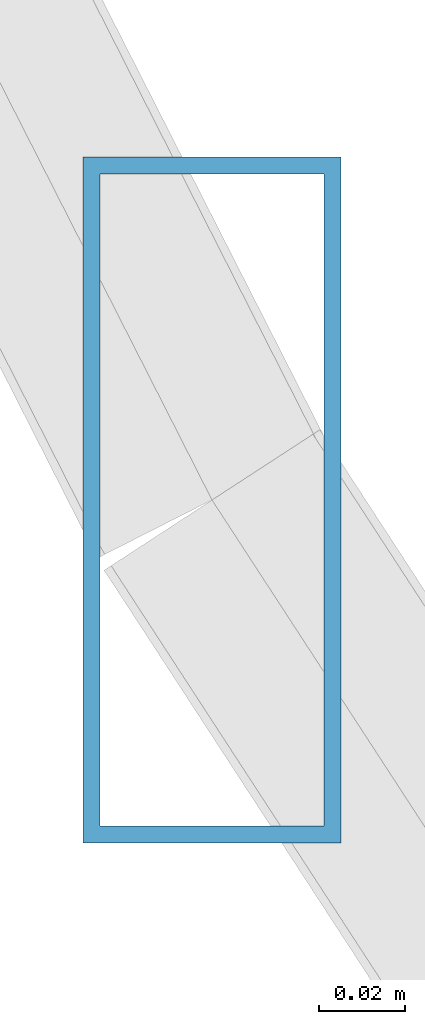
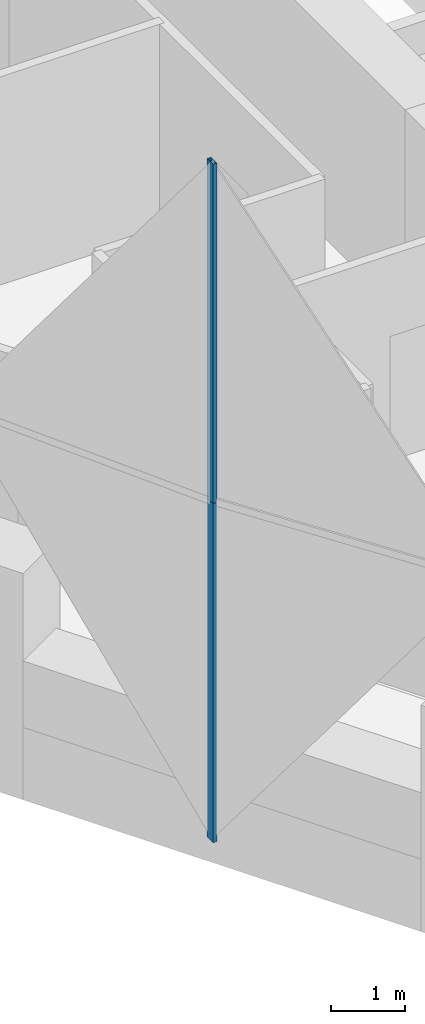
# One storey, part 2 of 13: 2 members, 1 element without a shape of its own.
"""IFC4 building model written with IfcOpenShell, lengths in metres."""

from ifc_helpers import new_model, si_unit, direction, frame, origin, origin_2d, place, context, subcontext, project, spatial, hollow_rectangle, extrude, material, material_profile, profile_set, type_object, element, aggregate, save


model = new_model("IFC4")

# Units and contexts
model_context = context("Model", 3, precision=1e-05, world=origin(), true_north=direction((0.0, 1.0)))
body_context = subcontext(model_context, "Body", "Model", "MODEL_VIEW")
ifc_project = project(units=[si_unit("LENGTHUNIT", "METRE"), si_unit("AREAUNIT", "SQUARE_METRE"), si_unit("VOLUMEUNIT", "CUBIC_METRE"), si_unit("PLANEANGLEUNIT", "RADIAN"), si_unit("MASSUNIT", "GRAM", prefix="KILO")], contexts=[model_context])

# Site, building, storey
site_placement = place(None, origin())
site = spatial("IfcSite", under=ifc_project, at=site_placement, CompositionType="ELEMENT")
building_placement = place(site_placement, origin())
building = spatial("IfcBuilding", under=site, at=building_placement, Name="Ostrander Bayou Hotel Tower", CompositionType="ELEMENT")
storey_placement = place(building_placement, frame((0.0, 0.0, 187.0)))
storey = spatial("IfcBuildingStorey", under=building, at=storey_placement, Name="L46", CompositionType="ELEMENT", Elevation=187.0)

# Curtain wall, members
ifc_material_1 = material(Name="Aluminium and clear glass", Category="aluminium")
curtain_wall_type = type_object("IfcCurtainWallType", Name="CW-LAT lattice glazing", PredefinedType="NOTDEFINED", material=ifc_material_1)
curtain_wall_placement = place(storey_placement, origin())
curtain_wall = element("IfcCurtainWall", 1, at=curtain_wall_placement, inside=storey, type_object=curtain_wall_type, Name="CW-LAT L46 SW 1", PredefinedType="NOTDEFINED")
ifc_material_2 = material(Name="Aluminium", Category="aluminium")
ifc_material_profile = material_profile(ifc_material_2, hollow_rectangle(XDim=0.06005859375, YDim=0.159912109375, WallThickness=0.00390625, at=origin_2d()))
ifc_profile_set = profile_set([ifc_material_profile], Name="Aluminium")
member_type = type_object("IfcMemberType", Name="CW-LA mullion 60 x 160 mm", PredefinedType="MULLION", material=ifc_profile_set)
member_1_placement = place(storey_placement, frame((-16.51513671875, -9.534912109375, -0.60009765625), z_axis=(0.0, 0.0, 1.0), x_axis=(1.0, 0.0, 0.0)))
member_1 = element("IfcMember", 2, at=member_1_placement, type_object=member_type, Name="CW-LAT mullion 4", PredefinedType="MULLION", context=body_context, shape_type="SweptSolid", body=[
    extrude(hollow_rectangle(XDim=0.06005859375, YDim=0.159912109375, WallThickness=0.00390625, at=origin_2d()), origin(), (0.0, 0.0, 1.0), 5.625),
])
member_2_placement = place(storey_placement, frame((-16.51513671875, -9.534912109375, 5.02490234375), z_axis=(0.0, 0.0, 1.0), x_axis=(1.0, 0.0, 0.0)))
member_2 = element("IfcMember", 3, at=member_2_placement, type_object=member_type, Name="CW-LAT mullion 5", PredefinedType="MULLION", context=body_context, shape_type="SweptSolid", body=[
    extrude(hollow_rectangle(XDim=0.06005859375, YDim=0.159912109375, WallThickness=0.00390625, at=origin_2d()), origin(), (0.0, 0.0, 1.0), 5.625),
])
aggregate(curtain_wall, [member_1, member_2])

save(model, "model.ifc")
